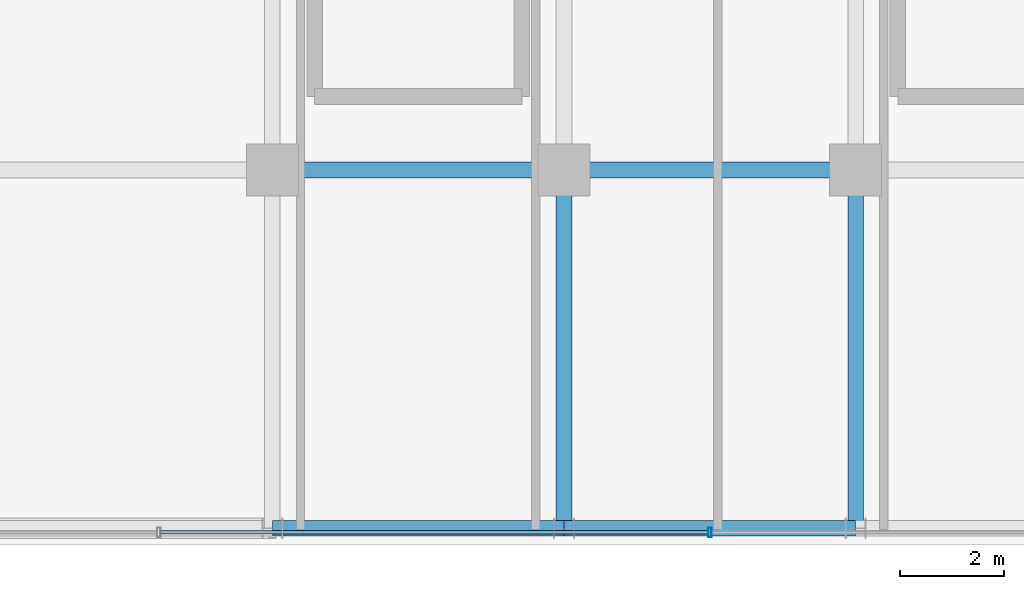
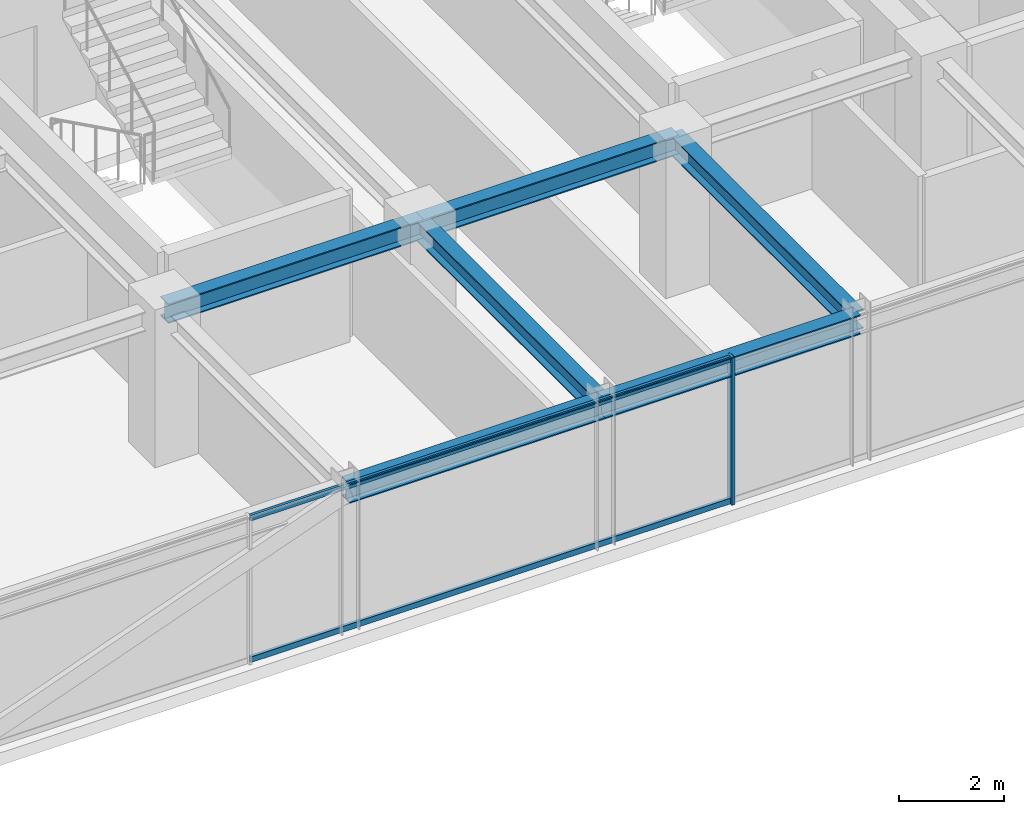
# One storey, part 8 of 41: 6 beams, 3 members, 1 element without a shape of its own.
"""IFC4 building model written with IfcOpenShell, lengths in metres."""

from ifc_helpers import new_model, si_unit, direction, frame, origin, origin_2d, place, context, subcontext, project, spatial, hollow_rectangle, i_section, extrude, source, transform, mapped, material, material_profile, profile_set, type_object, element, aggregate, save


model = new_model("IFC4")

# Units and contexts
model_context = context("Model", 3, precision=1e-05, world=origin(), true_north=direction((0.0, 1.0)))
body_context = subcontext(model_context, "Body", "Model", "MODEL_VIEW")
ifc_project = project(units=[si_unit("LENGTHUNIT", "METRE"), si_unit("AREAUNIT", "SQUARE_METRE"), si_unit("VOLUMEUNIT", "CUBIC_METRE"), si_unit("PLANEANGLEUNIT", "RADIAN"), si_unit("MASSUNIT", "GRAM", prefix="KILO")], contexts=[model_context])

# Site, building, storey
site_placement = place(None, origin())
site = spatial("IfcSite", under=ifc_project, at=site_placement, CompositionType="ELEMENT")
building_placement = place(site_placement, origin())
building = spatial("IfcBuilding", under=site, at=building_placement, Name="Nahalor Promenade Grand Hotel", CompositionType="ELEMENT")
storey_placement = place(building_placement, frame((0.0, 0.0, 227.10009765625)))
storey = spatial("IfcBuildingStorey", under=building, at=storey_placement, Name="L58", CompositionType="ELEMENT", Elevation=227.10009765625)

# Beams
ifc_material_1 = material(Name="Steel S355JR", Category="steel")
ifc_material_profile_1 = material_profile(ifc_material_1, i_section(OverallWidth=0.3, OverallDepth=0.45, WebThickness=0.014, FlangeThickness=0.026, at=origin_2d()), Name="HEB 450")
ifc_profile_set_1 = profile_set([ifc_material_profile_1], Name="Steel S355JR")
beam_type_1 = type_object("IfcBeamType", Name="Beam-Spandrel-HEB450", PredefinedType="SPANDREL", material=ifc_profile_set_1)
shared_shape_1 = source(origin(), body_context, "Body", "SweptSolid", [
    extrude(i_section(OverallWidth=0.3, OverallDepth=0.45, WebThickness=0.014, FlangeThickness=0.026, at=origin_2d()), origin(), (0.0, 0.0, 1.0), 5.599853515625),
])
beam_1_placement = place(storey_placement, frame((-8.39990234375, -23.8798828125, 3.184814453125), z_axis=(1.0, 0.0, 0.0), x_axis=(0.0, 1.0, 0.0)))
element("IfcBeam", 1, at=beam_1_placement, inside=storey, type_object=beam_type_1, Name="BM-L58-SP-S-1", PredefinedType="SPANDREL", context=body_context, shape_type="MappedRepresentation", body=[
    mapped(shared_shape_1, transform((0.0, 0.0, 0.0), scale=1.0)),
])
shared_shape_2 = source(origin(), body_context, "Body", "SweptSolid", [
    extrude(i_section(OverallWidth=0.3, OverallDepth=0.45, WebThickness=0.014, FlangeThickness=0.026, at=origin_2d()), origin(), (0.0, 0.0, 1.0), 5.60009765625),
])
beam_2_placement = place(storey_placement, frame((-2.800048828125, -23.8798828125, 3.184814453125), z_axis=(1.0, 0.0, 0.0), x_axis=(0.0, 1.0, 0.0)))
element("IfcBeam", 2, at=beam_2_placement, inside=storey, type_object=beam_type_1, Name="BM-L58-SP-S-2", PredefinedType="SPANDREL", context=body_context, shape_type="MappedRepresentation", body=[
    mapped(shared_shape_2, transform((0.0, 0.0, 0.0), scale=1.0)),
])
ifc_material_profile_2 = material_profile(ifc_material_1, i_section(OverallWidth=0.3, OverallDepth=0.45, WebThickness=0.014, FlangeThickness=0.026, at=origin_2d()), Name="HEB 450")
ifc_profile_set_2 = profile_set([ifc_material_profile_2], Name="Steel S355JR")
beam_type_2 = type_object("IfcBeamType", Name="Beam-Girder-HEB450", PredefinedType="BEAM", material=ifc_profile_set_2)
shared_shape_3 = source(origin(), body_context, "Body", "SweptSolid", [
    extrude(i_section(OverallWidth=0.3, OverallDepth=0.45, WebThickness=0.014, FlangeThickness=0.026, at=origin_2d()), origin(), (0.0, 0.0, 1.0), 6.8798828125),
])
for number, where, z_axis, x_axis, name in (
    (3, (-2.800048828125, -23.8798828125, 3.184814453125), (0.0, 1.0, 0.0), (-1.0, 0.0, 0.0), "BM-L58-GY-2-0"),
    (4, (2.800048828125, -23.8798828125, 3.184814453125), (0.0, 1.0, 0.0), (-1.0, 0.0, 0.0), "BM-L58-GY-3-0"),
):
    element("IfcBeam", number, at=place(storey_placement, frame(where, z_axis=z_axis, x_axis=x_axis)), inside=storey, type_object=beam_type_2, Name=name, PredefinedType="BEAM", context=body_context, shape_type="MappedRepresentation", body=[
        mapped(shared_shape_3, transform((0.0, 0.0, 0.0), scale=1.0)),
    ])
shared_shape_4 = source(origin(), body_context, "Body", "SweptSolid", [
    extrude(i_section(OverallWidth=0.3, OverallDepth=0.45, WebThickness=0.014, FlangeThickness=0.026, at=origin_2d()), origin(), (0.0, 0.0, 1.0), 5.599853515625),
])
beam_3_placement = place(storey_placement, frame((-8.39990234375, -17.0, 3.184814453125), z_axis=(1.0, 0.0, 0.0), x_axis=(0.0, 1.0, 0.0)))
element("IfcBeam", 5, at=beam_3_placement, inside=storey, type_object=beam_type_2, Name="BM-L58-GX-0-2", PredefinedType="BEAM", context=body_context, shape_type="MappedRepresentation", body=[
    mapped(shared_shape_4, transform((0.0, 0.0, 0.0), scale=1.0)),
])
shared_shape_5 = source(origin(), body_context, "Body", "SweptSolid", [
    extrude(i_section(OverallWidth=0.3, OverallDepth=0.45, WebThickness=0.014, FlangeThickness=0.026, at=origin_2d()), origin(), (0.0, 0.0, 1.0), 5.60009765625),
])
beam_4_placement = place(storey_placement, frame((-2.800048828125, -17.0, 3.184814453125), z_axis=(1.0, 0.0, 0.0), x_axis=(0.0, 1.0, 0.0)))
element("IfcBeam", 6, at=beam_4_placement, inside=storey, type_object=beam_type_2, Name="BM-L58-GX-0-3", PredefinedType="BEAM", context=body_context, shape_type="MappedRepresentation", body=[
    mapped(shared_shape_5, transform((0.0, 0.0, 0.0), scale=1.0)),
])

# Curtain wall, members
ifc_material_2 = material(Name="Anodised Bronze Aluminium EN AW-6063 T6", Category="aluminium")
curtain_wall_type = type_object("IfcCurtainWallType", Name="CW2 Typical Hotel Flush Bronze Unitised Curtain Wall", PredefinedType="USERDEFINED", material=ifc_material_2)
curtain_wall_placement = place(storey_placement, origin())
curtain_wall = element("IfcCurtainWall", 7, at=curtain_wall_placement, inside=storey, type_object=curtain_wall_type, Name="L58 Curtain Wall CW-L58-S-1", ObjectType="UNITISED_CURTAIN_WALL", PredefinedType="USERDEFINED")
ifc_material_profile_3 = material_profile(ifc_material_2, hollow_rectangle(XDim=0.065, YDim=0.13, WallThickness=0.004, at=origin_2d()), Name="CWT 65x130x4")
ifc_profile_set_3 = profile_set([ifc_material_profile_3], Name="Anodised Bronze Aluminium EN AW-6063 T6")
member_type_1 = type_object("IfcMemberType", Name="CWT2 Typical Bronze Transom 65x130", PredefinedType="USERDEFINED", material=ifc_profile_set_3)
shared_shape_6 = source(origin(), body_context, "Body", "SweptSolid", [
    extrude(hollow_rectangle(XDim=0.065, YDim=0.13, WallThickness=0.004, at=origin_2d()), origin(), (0.0, 0.0, 1.0), 10.51513671875),
])
member_1_placement = place(storey_placement, frame((-10.547607421875, -23.9599609375, 0.06494140625), z_axis=(1.0, 0.0, 0.0), x_axis=(0.0, 1.0, 0.0)))
member_1 = element("IfcMember", 8, at=member_1_placement, type_object=member_type_1, Name="CW-L58-S-1 Transom 1-0", ObjectType="TRANSOM", PredefinedType="USERDEFINED", context=body_context, shape_type="MappedRepresentation", body=[
    mapped(shared_shape_6, transform((0.0, 0.0, 0.0), scale=1.0)),
])
member_2_placement = place(storey_placement, frame((-10.547607421875, -23.9599609375, 3.344970703125), z_axis=(1.0, 0.0, 0.0), x_axis=(0.0, 1.0, 0.0)))
member_2 = element("IfcMember", 9, at=member_2_placement, type_object=member_type_1, Name="CW-L58-S-1 Transom 1-1", ObjectType="TRANSOM", PredefinedType="USERDEFINED", context=body_context, shape_type="MappedRepresentation", body=[
    mapped(shared_shape_6, transform((0.0, 0.0, 0.0), scale=1.0)),
])
ifc_material_profile_4 = material_profile(ifc_material_2, hollow_rectangle(XDim=0.065, YDim=0.18, WallThickness=0.004, at=origin_2d()), Name="CWM 65x180x4")
ifc_profile_set_4 = profile_set([ifc_material_profile_4], Name="Anodised Bronze Aluminium EN AW-6063 T6")
member_type_2 = type_object("IfcMemberType", Name="CWM2 Typical Bronze Mullion 65x180", PredefinedType="MULLION", material=ifc_profile_set_4)
shared_shape_7 = source(origin(), body_context, "Body", "SweptSolid", [
    extrude(hollow_rectangle(XDim=0.065, YDim=0.18, WallThickness=0.004, at=origin_2d()), origin(), (0.0, 0.0, 1.0), 3.409912109375),
])
member_3_placement = place(storey_placement, frame((0.0, -23.9599609375, 0.0), z_axis=(0.0, 0.0, 1.0), x_axis=(1.0, 0.0, 0.0)))
member_3 = element("IfcMember", 10, at=member_3_placement, type_object=member_type_2, Name="CW-L58-S-1 Mullion 2", PredefinedType="MULLION", context=body_context, shape_type="MappedRepresentation", body=[
    mapped(shared_shape_7, transform((0.0, 0.0, 0.0), scale=1.0)),
])
aggregate(curtain_wall, [member_3, member_1, member_2])

save(model, "model.ifc")
